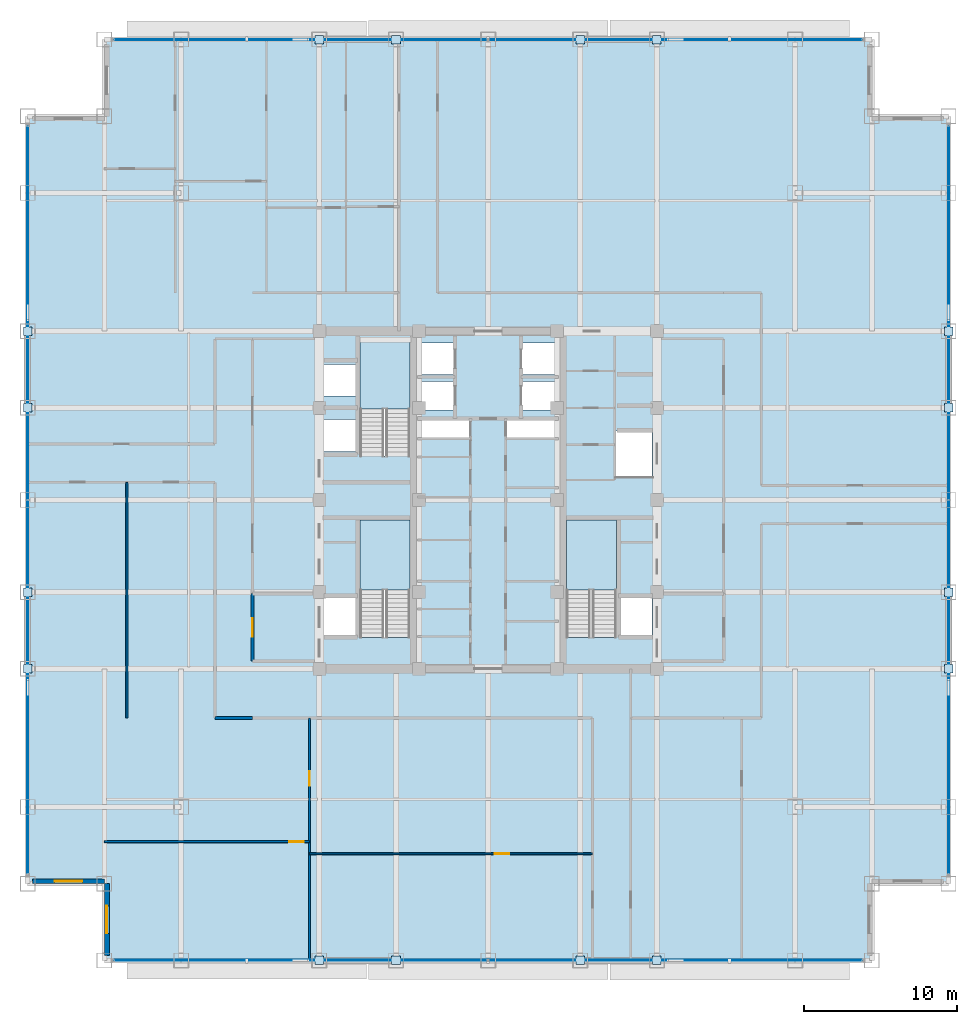
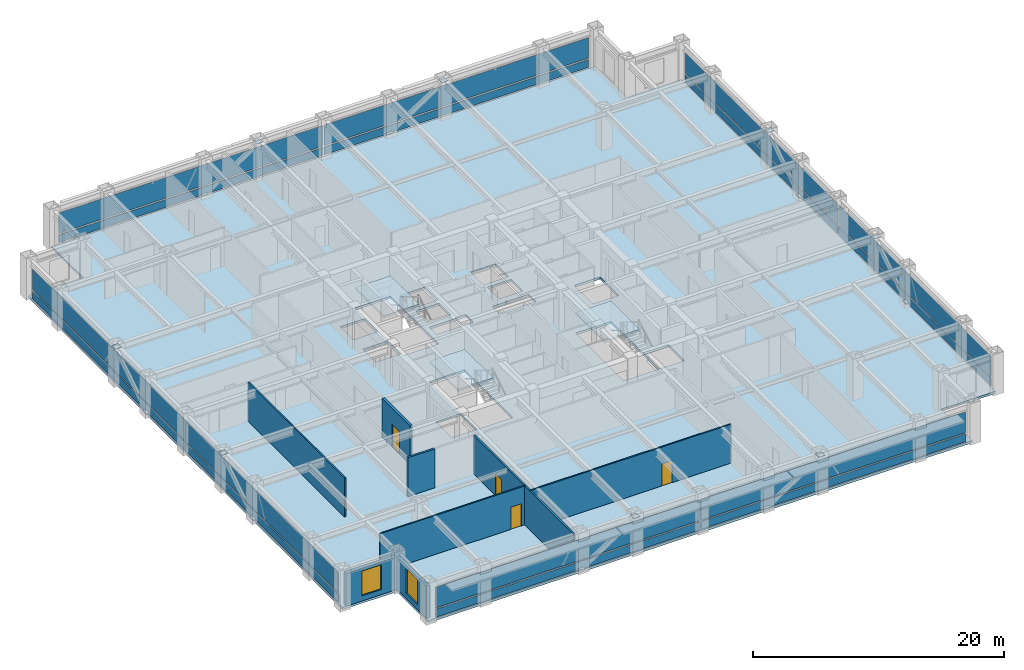
# One storey, part 19 of 29: 32 plates, 8 walls, 4 doors, 4 slabs, 2 windows, 6 openings, 7 elements without a shape of their own.
"""IFC4 building model written with IfcOpenShell, lengths in metres."""

from ifc_helpers import new_model, si_unit, direction, frame, frame_2d, origin, origin_2d, place, context, subcontext, project, spatial, polyline, rectangle, outline, extrude, source, transform, mapped, material, layer, layer_set, type_object, element, fill, aggregate, save


model = new_model("IFC4")

# Units and contexts
model_context = context("Model", 3, precision=1e-05, world=origin(), true_north=direction((0.0, 1.0)))
body_context = subcontext(model_context, "Body", "Model", "MODEL_VIEW")
ifc_project = project(units=[si_unit("LENGTHUNIT", "METRE"), si_unit("AREAUNIT", "SQUARE_METRE"), si_unit("VOLUMEUNIT", "CUBIC_METRE"), si_unit("PLANEANGLEUNIT", "RADIAN"), si_unit("MASSUNIT", "GRAM", prefix="KILO")], contexts=[model_context])

# Site, building, storey
site_placement = place(None, origin())
site = spatial("IfcSite", under=ifc_project, at=site_placement, CompositionType="ELEMENT")
building_placement = place(site_placement, origin())
building = spatial("IfcBuilding", under=site, at=building_placement, Name="Khorayat Bourse Tower", CompositionType="ELEMENT")
storey_placement = place(building_placement, frame((0.0, 0.0, 235.10009765625)))
storey = spatial("IfcBuildingStorey", under=building, at=storey_placement, Name="L55", CompositionType="ELEMENT", Elevation=235.10009765625)

# Stair, slab
ifc_material_1 = material(Name="Concrete C40/50", Category="concrete")
stair_type = type_object("IfcStairType", Name="STR-CORE-1550", PredefinedType="HALF_TURN_STAIR", material=ifc_material_1)
stair_1_placement = place(storey_placement, origin())
stair_1 = element("IfcStair", 1, at=stair_1_placement, inside=storey, type_object=stair_type, Name="L55 Exit Stair ST-1", PredefinedType="HALF_TURN_STAIR")
ifc_layer_1 = layer(ifc_material_1, 0.199951171875)
ifc_layer_set_1 = layer_set([ifc_layer_1], Name="Concrete C40/50")
slab_type_1 = type_object("IfcSlabType", Name="SLB-LANDING-200", PredefinedType="LANDING", material=ifc_layer_set_1)
slab_1_placement = place(storey_placement, frame((0.0, 0.0, 1.7998046875)))
slab_1 = element("IfcSlab", 2, at=slab_1_placement, type_object=slab_type_1, Name="ST-1 landing 1", PredefinedType="LANDING", context=body_context, shape_type="SweptSolid", body=[
    extrude(outline(polyline([(-5.10009765625, -5.8701171875), (-5.10009765625, -1.300048828125), (-8.35009765625, -1.300048828125), (-8.35009765625, -5.8701171875), (-5.10009765625, -5.8701171875)])), origin(), (0.0, 0.0, 1.0), 0.2001953125),
])
aggregate(stair_1, [slab_1])

stair_2_placement = place(storey_placement, origin())
stair_2 = element("IfcStair", 3, at=stair_2_placement, inside=storey, type_object=stair_type, Name="L55 Exit Stair ST-2", PredefinedType="HALF_TURN_STAIR")
slab_2_placement = place(storey_placement, frame((0.0, 0.0, 1.7998046875)))
slab_2 = element("IfcSlab", 4, at=slab_2_placement, type_object=slab_type_1, Name="ST-2 landing 1", PredefinedType="LANDING", context=body_context, shape_type="SweptSolid", body=[
    extrude(outline(polyline([(-5.10009765625, 5.929931640625), (-5.10009765625, 10.5), (-8.35009765625, 10.5), (-8.35009765625, 5.929931640625), (-5.10009765625, 5.929931640625)])), origin(), (0.0, 0.0, 1.0), 0.2001953125),
])
aggregate(stair_2, [slab_2])

stair_3_placement = place(storey_placement, origin())
stair_3 = element("IfcStair", 5, at=stair_3_placement, inside=storey, type_object=stair_type, Name="L55 Exit Stair ST-3", PredefinedType="HALF_TURN_STAIR")
slab_3_placement = place(storey_placement, frame((0.0, 0.0, 1.7998046875)))
slab_3 = element("IfcSlab", 6, at=slab_3_placement, type_object=slab_type_1, Name="ST-3 landing 1", PredefinedType="LANDING", context=body_context, shape_type="SweptSolid", body=[
    extrude(outline(polyline([(8.35009765625, -5.8701171875), (8.35009765625, -1.300048828125), (5.10009765625, -1.300048828125), (5.10009765625, -5.8701171875), (8.35009765625, -5.8701171875)])), origin(), (0.0, 0.0, 1.0), 0.2001953125),
])
aggregate(stair_3, [slab_3])

# Slab
ifc_layer_2 = layer(ifc_material_1, 0.219970703125)
ifc_layer_set_2 = layer_set([ifc_layer_2], Name="Concrete C40/50")
slab_type_2 = type_object("IfcSlabType", Name="SLB-OFFICE-220", PredefinedType="FLOOR", material=ifc_layer_set_2)
slab_4_placement = place(storey_placement, frame((0.0, 0.0, -0.22021484375)))
element("IfcSlab", 7, at=slab_4_placement, inside=storey, type_object=slab_type_2, Name="L55 Main Floor Slab", PredefinedType="FLOOR", context=body_context, shape_type="SweptSolid", body=[
    extrude(outline(polyline([(-25.0, -30.0), (25.0, -30.0), (25.0, -25.0), (30.0, -25.0), (30.0, 25.0), (25.0, 25.0), (25.0, 30.0), (-25.0, 30.0), (-25.0, 25.0), (-30.0, 25.0), (-30.0, -25.0), (-25.0, -25.0), (-25.0, -30.0)]), holes=[polyline([(-8.35009765625, -8.945068359375), (-5.10009765625, -8.945068359375), (-5.10009765625, -1.300048828125), (-8.35009765625, -1.300048828125), (-8.35009765625, -8.945068359375)]), polyline([(-8.35009765625, 2.85498046875), (-5.10009765625, 2.85498046875), (-5.10009765625, 10.5), (-8.35009765625, 10.5), (-8.35009765625, 2.85498046875)]), polyline([(5.10009765625, -8.945068359375), (8.35009765625, -8.945068359375), (8.35009765625, -1.300048828125), (5.10009765625, -1.300048828125), (5.10009765625, -8.945068359375)]), polyline([(-4.3798828125, 8.169921875), (-2.1201171875, 8.169921875), (-2.1201171875, 10.22998046875), (-4.3798828125, 10.22998046875), (-4.3798828125, 8.169921875)]), polyline([(2.1201171875, 8.169921875), (4.3798828125, 8.169921875), (4.3798828125, 10.22998046875), (2.1201171875, 10.22998046875), (2.1201171875, 8.169921875)]), polyline([(-4.3798828125, 5.8701171875), (-2.219970703125, 5.8701171875), (-2.219970703125, 7.72998046875), (-4.3798828125, 7.72998046875), (-4.3798828125, 5.8701171875)]), polyline([(2.219970703125, 5.8701171875), (4.3798828125, 5.8701171875), (4.3798828125, 7.72998046875), (2.219970703125, 7.72998046875), (2.219970703125, 5.8701171875)]), polyline([(-10.679931640625, 3.169921875), (-8.419921875, 3.169921875), (-8.419921875, 5.22998046875), (-10.679931640625, 5.22998046875), (-10.679931640625, 3.169921875)]), polyline([(-10.679931640625, 6.77001953125), (-8.419921875, 6.77001953125), (-8.419921875, 8.830078125), (-10.679931640625, 8.830078125), (-10.679931640625, 6.77001953125)]), polyline([(-10.679931640625, -8.929931640625), (-8.419921875, -8.929931640625), (-8.419921875, -6.3701171875), (-10.679931640625, -6.3701171875), (-10.679931640625, -8.929931640625)]), polyline([(8.419921875, -8.929931640625), (10.679931640625, -8.929931640625), (10.679931640625, -6.3701171875), (8.419921875, -6.3701171875), (8.419921875, -8.929931640625)]), polyline([(8.320068359375, 1.52001953125), (10.679931640625, 1.52001953125), (10.679931640625, 4.47998046875), (8.320068359375, 4.47998046875), (8.320068359375, 1.52001953125)]), polyline([(-4.56005859375, 4.080078125), (-1.18994140625, 4.080078125), (-1.18994140625, 5.219970703125), (-4.56005859375, 5.219970703125), (-4.56005859375, 4.080078125)]), polyline([(1.18994140625, 4.080078125), (4.56005859375, 4.080078125), (4.56005859375, 5.219970703125), (1.18994140625, 5.219970703125), (1.18994140625, 4.080078125)])]), origin(), (0.0, 0.0, 1.0), 0.22021484375),
])

# Plates
ifc_material_2 = material(Name="Steel EN 10025-2 S355J2", Category="steel")
ifc_layer_3 = layer(ifc_material_2, 0.02490234375)
ifc_layer_set_3 = layer_set([ifc_layer_3], Name="Steel EN 10025-2 S355J2")
plate_type_1 = type_object("IfcPlateType", Name="PLT-ENDCAP-25", PredefinedType="SHEET", material=ifc_layer_set_3)
shared_shape_1 = source(origin(), body_context, "Body", "SweptSolid", [
    extrude(rectangle(XDim=0.56005859375, YDim=0.56005859375, at=origin_2d()), origin(), (0.0, 0.0, 1.0), 0.02490234375),
])
for number, where, z_axis, x_axis, name in (
    (8, (-11.0, -30.0, 0.237548828125), (0.0, 0.0, 1.0), (1.0, 0.0, 0.0), "L55 Perimeter Brace End Plate 001"),
    (9, (-6.0, -30.0, 3.517333984375), (0.0, 0.0, 1.0), (1.0, 0.0, 0.0), "L55 Perimeter Brace End Plate 002"),
    (10, (6.0, -30.0, 0.237548828125), (0.0, 0.0, 1.0), (1.0, 0.0, 0.0), "L55 Perimeter Brace End Plate 003"),
    (11, (11.0, -30.0, 3.517333984375), (0.0, 0.0, 1.0), (1.0, 0.0, 0.0), "L55 Perimeter Brace End Plate 004"),
    (12, (-11.0, 30.0, 0.237548828125), (0.0, 0.0, 1.0), (1.0, 0.0, 0.0), "L55 Perimeter Brace End Plate 005"),
    (13, (-6.0, 30.0, 3.517333984375), (0.0, 0.0, 1.0), (1.0, 0.0, 0.0), "L55 Perimeter Brace End Plate 006"),
    (14, (6.0, 30.0, 0.237548828125), (0.0, 0.0, 1.0), (1.0, 0.0, 0.0), "L55 Perimeter Brace End Plate 007"),
    (15, (11.0, 30.0, 3.517333984375), (0.0, 0.0, 1.0), (1.0, 0.0, 0.0), "L55 Perimeter Brace End Plate 008"),
    (16, (-30.0, -11.0, 0.237548828125), (0.0, 0.0, 1.0), (1.0, 0.0, 0.0), "L55 Perimeter Brace End Plate 009"),
    (17, (-30.0, -6.0, 3.517333984375), (0.0, 0.0, 1.0), (1.0, 0.0, 0.0), "L55 Perimeter Brace End Plate 010"),
    (18, (-30.0, 6.0, 0.237548828125), (0.0, 0.0, 1.0), (1.0, 0.0, 0.0), "L55 Perimeter Brace End Plate 011"),
    (19, (-30.0, 11.0, 3.517333984375), (0.0, 0.0, 1.0), (1.0, 0.0, 0.0), "L55 Perimeter Brace End Plate 012"),
    (20, (30.0, -11.0, 0.237548828125), (0.0, 0.0, 1.0), (1.0, 0.0, 0.0), "L55 Perimeter Brace End Plate 013"),
    (21, (30.0, -6.0, 3.517333984375), (0.0, 0.0, 1.0), (1.0, 0.0, 0.0), "L55 Perimeter Brace End Plate 014"),
    (22, (30.0, 6.0, 0.237548828125), (0.0, 0.0, 1.0), (1.0, 0.0, 0.0), "L55 Perimeter Brace End Plate 015"),
    (23, (30.0, 11.0, 3.517333984375), (0.0, 0.0, 1.0), (1.0, 0.0, 0.0), "L55 Perimeter Brace End Plate 016"),
):
    element("IfcPlate", number, at=place(storey_placement, frame(where, z_axis=z_axis, x_axis=x_axis)), inside=storey, type_object=plate_type_1, Name=name, PredefinedType="SHEET", context=body_context, shape_type="MappedRepresentation", body=[
        mapped(shared_shape_1, transform((0.0, 0.0, 0.0), scale=1.0)),
    ])

# Curtain wall, plates
ifc_material_3 = material(Name="Aluminium EN AW-6063 T6", Category="aluminium")
curtain_wall_type = type_object("IfcCurtainWallType", Name="CW-SYS-03", PredefinedType="NOTDEFINED", material=ifc_material_3)
curtain_wall_1_placement = place(storey_placement, origin())
curtain_wall_1 = element("IfcCurtainWall", 24, at=curtain_wall_1_placement, inside=storey, type_object=curtain_wall_type, Name="L55 Curtain Wall CW-L55-S1", PredefinedType="NOTDEFINED")
ifc_material_4 = material(Name="Honed desert limestone insulated spandrel", Category="masonry")
ifc_layer_4 = layer(ifc_material_4, 0.06494140625)
ifc_layer_set_4 = layer_set([ifc_layer_4], Name="Honed desert limestone insulated spandrel")
plate_type_2 = type_object("IfcPlateType", Name="CWP-SPAND-03", PredefinedType="CURTAIN_PANEL", material=ifc_layer_set_4)
shared_shape_2 = source(origin(), body_context, "Body", "SweptSolid", [
    extrude(rectangle(XDim=24.27001953125, YDim=0.06494140625, at=origin_2d()), origin(), (0.0, 0.0, 1.0), 0.77001953125),
])
plate_1_placement = place(storey_placement, frame((-12.195068359375, -30.0, 0.119873046875), z_axis=(0.0, 0.0, 1.0), x_axis=(1.0, 0.0, 0.0)))
plate_1 = element("IfcPlate", 25, at=plate_1_placement, type_object=plate_type_2, Name="CW-L55-S1 Spandrel Panel 1-1", PredefinedType="CURTAIN_PANEL", context=body_context, shape_type="MappedRepresentation", body=[
    mapped(shared_shape_2, transform((0.0, 0.0, 0.0), scale=1.0)),
])
plate_2_placement = place(storey_placement, frame((12.195068359375, -30.0, 0.119873046875), z_axis=(0.0, 0.0, 1.0), x_axis=(1.0, 0.0, 0.0)))
plate_2 = element("IfcPlate", 26, at=plate_2_placement, type_object=plate_type_2, Name="CW-L55-S1 Spandrel Panel 2-1", PredefinedType="CURTAIN_PANEL", context=body_context, shape_type="MappedRepresentation", body=[
    mapped(shared_shape_2, transform((0.0, 0.0, 0.0), scale=1.0)),
])

curtain_wall_2_placement = place(storey_placement, origin())
curtain_wall_2 = element("IfcCurtainWall", 27, at=curtain_wall_2_placement, inside=storey, type_object=curtain_wall_type, Name="L55 Curtain Wall CW-L55-N1", PredefinedType="NOTDEFINED")
plate_3_placement = place(storey_placement, frame((-12.195068359375, 30.0, 0.119873046875), z_axis=(0.0, 0.0, 1.0), x_axis=(1.0, 0.0, 0.0)))
plate_3 = element("IfcPlate", 28, at=plate_3_placement, type_object=plate_type_2, Name="CW-L55-N1 Spandrel Panel 1-1", PredefinedType="CURTAIN_PANEL", context=body_context, shape_type="MappedRepresentation", body=[
    mapped(shared_shape_2, transform((0.0, 0.0, 0.0), scale=1.0)),
])
plate_4_placement = place(storey_placement, frame((12.195068359375, 30.0, 0.119873046875), z_axis=(0.0, 0.0, 1.0), x_axis=(1.0, 0.0, 0.0)))
plate_4 = element("IfcPlate", 29, at=plate_4_placement, type_object=plate_type_2, Name="CW-L55-N1 Spandrel Panel 2-1", PredefinedType="CURTAIN_PANEL", context=body_context, shape_type="MappedRepresentation", body=[
    mapped(shared_shape_2, transform((0.0, 0.0, 0.0), scale=1.0)),
])

curtain_wall_3_placement = place(storey_placement, origin())
curtain_wall_3 = element("IfcCurtainWall", 30, at=curtain_wall_3_placement, inside=storey, type_object=curtain_wall_type, Name="L55 Curtain Wall CW-L55-W1", PredefinedType="NOTDEFINED")
plate_5_placement = place(storey_placement, frame((-30.0, -12.195068359375, 0.119873046875), z_axis=(0.0, 0.0, 1.0), x_axis=(0.0, 1.0, 0.0)))
plate_5 = element("IfcPlate", 31, at=plate_5_placement, type_object=plate_type_2, Name="CW-L55-W1 Spandrel Panel 1-1", PredefinedType="CURTAIN_PANEL", context=body_context, shape_type="MappedRepresentation", body=[
    mapped(shared_shape_2, transform((0.0, 0.0, 0.0), scale=1.0)),
])
plate_6_placement = place(storey_placement, frame((-30.0, 12.195068359375, 0.119873046875), z_axis=(0.0, 0.0, 1.0), x_axis=(0.0, 1.0, 0.0)))
plate_6 = element("IfcPlate", 32, at=plate_6_placement, type_object=plate_type_2, Name="CW-L55-W1 Spandrel Panel 2-1", PredefinedType="CURTAIN_PANEL", context=body_context, shape_type="MappedRepresentation", body=[
    mapped(shared_shape_2, transform((0.0, 0.0, 0.0), scale=1.0)),
])

curtain_wall_4_placement = place(storey_placement, origin())
curtain_wall_4 = element("IfcCurtainWall", 33, at=curtain_wall_4_placement, inside=storey, type_object=curtain_wall_type, Name="L55 Curtain Wall CW-L55-E1", PredefinedType="NOTDEFINED")
plate_7_placement = place(storey_placement, frame((30.0, -12.195068359375, 0.119873046875), z_axis=(0.0, 0.0, 1.0), x_axis=(0.0, 1.0, 0.0)))
plate_7 = element("IfcPlate", 34, at=plate_7_placement, type_object=plate_type_2, Name="CW-L55-E1 Spandrel Panel 1-1", PredefinedType="CURTAIN_PANEL", context=body_context, shape_type="MappedRepresentation", body=[
    mapped(shared_shape_2, transform((0.0, 0.0, 0.0), scale=1.0)),
])
plate_8_placement = place(storey_placement, frame((30.0, 12.195068359375, 0.119873046875), z_axis=(0.0, 0.0, 1.0), x_axis=(0.0, 1.0, 0.0)))
plate_8 = element("IfcPlate", 35, at=plate_8_placement, type_object=plate_type_2, Name="CW-L55-E1 Spandrel Panel 2-1", PredefinedType="CURTAIN_PANEL", context=body_context, shape_type="MappedRepresentation", body=[
    mapped(shared_shape_2, transform((0.0, 0.0, 0.0), scale=1.0)),
])

# Plate
ifc_material_5 = material(Name="Low-E solar-control laminated double glazing", Category="glass")
ifc_layer_5 = layer(ifc_material_5, 0.035888671875)
ifc_layer_set_5 = layer_set([ifc_layer_5], Name="Low-E solar-control laminated double glazing")
plate_type_3 = type_object("IfcPlateType", Name="CWP-VIS-01", PredefinedType="CURTAIN_PANEL", material=ifc_layer_set_5)
shared_shape_3 = source(origin(), body_context, "Body", "SweptSolid", [
    extrude(rectangle(XDim=24.27001953125, YDim=0.035888671875, at=origin_2d()), origin(), (0.0, 0.0, 1.0), 2.0),
])
plate_9_placement = place(storey_placement, frame((-12.195068359375, -30.0, 1.010009765625), z_axis=(0.0, 0.0, 1.0), x_axis=(1.0, 0.0, 0.0)))
plate_9 = element("IfcPlate", 36, at=plate_9_placement, type_object=plate_type_3, Name="CW-L55-S1 Vision Panel 1-2", PredefinedType="CURTAIN_PANEL", context=body_context, shape_type="MappedRepresentation", body=[
    mapped(shared_shape_3, transform((0.0, 0.0, 0.0), scale=1.0)),
])

plate_10_placement = place(storey_placement, frame((12.195068359375, -30.0, 1.010009765625), z_axis=(0.0, 0.0, 1.0), x_axis=(1.0, 0.0, 0.0)))
plate_10 = element("IfcPlate", 37, at=plate_10_placement, type_object=plate_type_3, Name="CW-L55-S1 Vision Panel 2-2", PredefinedType="CURTAIN_PANEL", context=body_context, shape_type="MappedRepresentation", body=[
    mapped(shared_shape_3, transform((0.0, 0.0, 0.0), scale=1.0)),
])

aggregate(curtain_wall_1, [plate_1, plate_9, plate_2, plate_10])

plate_11_placement = place(storey_placement, frame((-12.195068359375, 30.0, 1.010009765625), z_axis=(0.0, 0.0, 1.0), x_axis=(1.0, 0.0, 0.0)))
plate_11 = element("IfcPlate", 38, at=plate_11_placement, type_object=plate_type_3, Name="CW-L55-N1 Vision Panel 1-2", PredefinedType="CURTAIN_PANEL", context=body_context, shape_type="MappedRepresentation", body=[
    mapped(shared_shape_3, transform((0.0, 0.0, 0.0), scale=1.0)),
])

plate_12_placement = place(storey_placement, frame((12.195068359375, 30.0, 1.010009765625), z_axis=(0.0, 0.0, 1.0), x_axis=(1.0, 0.0, 0.0)))
plate_12 = element("IfcPlate", 39, at=plate_12_placement, type_object=plate_type_3, Name="CW-L55-N1 Vision Panel 2-2", PredefinedType="CURTAIN_PANEL", context=body_context, shape_type="MappedRepresentation", body=[
    mapped(shared_shape_3, transform((0.0, 0.0, 0.0), scale=1.0)),
])

aggregate(curtain_wall_2, [plate_3, plate_11, plate_4, plate_12])

plate_13_placement = place(storey_placement, frame((-30.0, -12.195068359375, 1.010009765625), z_axis=(0.0, 0.0, 1.0), x_axis=(0.0, 1.0, 0.0)))
plate_13 = element("IfcPlate", 40, at=plate_13_placement, type_object=plate_type_3, Name="CW-L55-W1 Vision Panel 1-2", PredefinedType="CURTAIN_PANEL", context=body_context, shape_type="MappedRepresentation", body=[
    mapped(shared_shape_3, transform((0.0, 0.0, 0.0), scale=1.0)),
])

plate_14_placement = place(storey_placement, frame((-30.0, 12.195068359375, 1.010009765625), z_axis=(0.0, 0.0, 1.0), x_axis=(0.0, 1.0, 0.0)))
plate_14 = element("IfcPlate", 41, at=plate_14_placement, type_object=plate_type_3, Name="CW-L55-W1 Vision Panel 2-2", PredefinedType="CURTAIN_PANEL", context=body_context, shape_type="MappedRepresentation", body=[
    mapped(shared_shape_3, transform((0.0, 0.0, 0.0), scale=1.0)),
])

aggregate(curtain_wall_3, [plate_5, plate_13, plate_6, plate_14])

plate_15_placement = place(storey_placement, frame((30.0, -12.195068359375, 1.010009765625), z_axis=(0.0, 0.0, 1.0), x_axis=(0.0, 1.0, 0.0)))
plate_15 = element("IfcPlate", 42, at=plate_15_placement, type_object=plate_type_3, Name="CW-L55-E1 Vision Panel 1-2", PredefinedType="CURTAIN_PANEL", context=body_context, shape_type="MappedRepresentation", body=[
    mapped(shared_shape_3, transform((0.0, 0.0, 0.0), scale=1.0)),
])

plate_16_placement = place(storey_placement, frame((30.0, 12.195068359375, 1.010009765625), z_axis=(0.0, 0.0, 1.0), x_axis=(0.0, 1.0, 0.0)))
plate_16 = element("IfcPlate", 43, at=plate_16_placement, type_object=plate_type_3, Name="CW-L55-E1 Vision Panel 2-2", PredefinedType="CURTAIN_PANEL", context=body_context, shape_type="MappedRepresentation", body=[
    mapped(shared_shape_3, transform((0.0, 0.0, 0.0), scale=1.0)),
])

aggregate(curtain_wall_4, [plate_7, plate_15, plate_8, plate_16])

# Wall, opening, window
ifc_material_6 = material(Name="Precast concrete C45/55", Category="concrete")
ifc_layer_6 = layer(ifc_material_6, 0.320068359375)
ifc_layer_set_6 = layer_set([ifc_layer_6], Name="Precast concrete C45/55")
wall_type_1 = type_object("IfcWallType", Name="WAL-EXT-STONE-320", PredefinedType="STANDARD", material=ifc_layer_set_6)
shared_shape_4 = source(origin(), body_context, "Body", "SweptSolid", [
    extrude(rectangle(XDim=4.679931640625, YDim=0.320068359375, at=frame_2d((2.33984375, 0.0))), origin(), (0.0, 0.0, 1.0), 3.163818359375),
])
wall_1_placement = place(storey_placement, frame((-25.0, -24.840087890625, 0.0), z_axis=(0.0, 0.0, 1.0), x_axis=(-1.0, 0.0, 0.0)))
wall_1 = element("IfcWall", 44, at=wall_1_placement, inside=storey, type_object=wall_type_1, Name="L55 Re-Entrant Notch Limestone Wall SW-H", PredefinedType="STANDARD", context=body_context, shape_type="MappedRepresentation", body=[
    mapped(shared_shape_4, transform((0.0, 0.0, 0.0), scale=1.0)),
])
shared_shape_5 = source(origin(), body_context, "Body", "SweptSolid", [
    extrude(rectangle(XDim=1.800048828125, YDim=2.39990234375, at=frame_2d((0.89990234375, 1.199951171875))), frame((0.0, 0.169921875, 0.0), z_axis=(0.0, -1.0, 0.0), x_axis=(1.0, 0.0, 0.0)), (0.0, 0.0, 1.0), 0.340087890625),
])
opening_1_placement = place(wall_1_placement, frame((1.43994140625, 0.0, 0.5)))
opening_1 = element("IfcOpeningElement", 45, at=opening_1_placement, cuts=wall_1, Name="Opening WN-04", PredefinedType="OPENING", context=body_context, shape_type="MappedRepresentation", body=[
    mapped(shared_shape_5, transform((0.0, 0.0, 0.0), scale=1.0)),
])
ifc_material_7 = material(Name="Low-E acoustic laminated double glazing", Category="glass")
window_type = type_object("IfcWindowType", Name="WIN-NOTCH-1800x2400", PartitioningType="SINGLE_PANEL", PredefinedType="WINDOW", material=ifc_material_7)
shared_shape_6 = source(origin(), body_context, "Body", "SweptSolid", [
    extrude(rectangle(XDim=1.800048828125, YDim=2.39990234375, at=frame_2d((0.89990234375, 1.199951171875))), frame((0.0, 0.030029296875, 0.0), z_axis=(0.0, -1.0, 0.0), x_axis=(1.0, 0.0, 0.0)), (0.0, 0.0, 1.0), 0.06005859375),
])
window_1_placement = place(opening_1_placement, origin())
window_1 = element("IfcWindow", 46, at=window_1_placement, inside=storey, type_object=window_type, Name="L55 Facade Window 1", OverallHeight=2.39990234375, OverallWidth=1.800048828125, PartitioningType="SINGLE_PANEL", PredefinedType="WINDOW", context=body_context, shape_type="MappedRepresentation", body=[
    mapped(shared_shape_6, transform((0.0, 0.0, 0.0), scale=1.0)),
])
fill(opening_1, window_1)

wall_2_placement = place(storey_placement, frame((-24.840087890625, -29.679931640625, 0.0), z_axis=(0.0, 0.0, 1.0), x_axis=(0.0, 1.0, 0.0)))
wall_2 = element("IfcWall", 47, at=wall_2_placement, inside=storey, type_object=wall_type_1, Name="L55 Re-Entrant Notch Limestone Wall SW-V", PredefinedType="STANDARD", context=body_context, shape_type="MappedRepresentation", body=[
    mapped(shared_shape_4, transform((0.0, 0.0, 0.0), scale=1.0)),
])
opening_2_placement = place(wall_2_placement, frame((1.43994140625, 0.0, 0.5)))
opening_2 = element("IfcOpeningElement", 48, at=opening_2_placement, cuts=wall_2, Name="Opening WN-04", PredefinedType="OPENING", context=body_context, shape_type="MappedRepresentation", body=[
    mapped(shared_shape_5, transform((0.0, 0.0, 0.0), scale=1.0)),
])
window_2_placement = place(opening_2_placement, origin())
window_2 = element("IfcWindow", 49, at=window_2_placement, inside=storey, type_object=window_type, Name="L55 Facade Window 1", OverallHeight=2.39990234375, OverallWidth=1.800048828125, PartitioningType="SINGLE_PANEL", PredefinedType="WINDOW", context=body_context, shape_type="MappedRepresentation", body=[
    mapped(shared_shape_6, transform((0.0, 0.0, 0.0), scale=1.0)),
])
fill(opening_2, window_2)

# Wall, opening, door
ifc_material_8 = material(Name="Aerated concrete blockwork", Category="masonry")
ifc_layer_7 = layer(ifc_material_8, 0.219970703125)
ifc_layer_set_7 = layer_set([ifc_layer_7], Name="Aerated concrete blockwork")
wall_type_2 = type_object("IfcWallType", Name="WAL-PART-FF-220", PredefinedType="PARTITIONING", material=ifc_layer_set_7)
shared_shape_7 = source(origin(), body_context, "Body", "SweptSolid", [
    extrude(rectangle(XDim=4.39990234375, YDim=0.219970703125, at=frame_2d((2.199951171875, 0.0))), origin(), (0.0, 0.0, 1.0), 3.77978515625),
])
wall_3_placement = place(storey_placement, frame((-15.35009765625, -10.5, 0.0), z_axis=(0.0, 0.0, 1.0), x_axis=(0.0, 1.0, 0.0)))
wall_3 = element("IfcWall", 50, at=wall_3_placement, inside=storey, type_object=wall_type_2, Name="L55 Partition WAL-L55-FFLW-W", PredefinedType="PARTITIONING", context=body_context, shape_type="MappedRepresentation", body=[
    mapped(shared_shape_7, transform((0.0, 0.0, 0.0), scale=1.0)),
])
shared_shape_8 = source(origin(), body_context, "Body", "SweptSolid", [
    extrude(rectangle(XDim=1.199951171875, YDim=2.199951171875, at=frame_2d((0.60009765625, 1.10009765625))), frame((0.0, 0.119873046875, 0.0), z_axis=(0.0, -1.0, 0.0), x_axis=(1.0, 0.0, 0.0)), (0.0, 0.0, 1.0), 0.239990234375),
])
opening_3_placement = place(wall_3_placement, frame((1.60009765625, 0.0, 0.0)))
opening_3 = element("IfcOpeningElement", 51, at=opening_3_placement, cuts=wall_3, Name="Opening DI-02", PredefinedType="OPENING", context=body_context, shape_type="MappedRepresentation", body=[
    mapped(shared_shape_8, transform((0.0, 0.0, 0.0), scale=1.0)),
])
ifc_material_9 = material(Name="Fire-rated steel double-seal leaf", Category="steel")
door_type_1 = type_object("IfcDoorType", Name="DR-INT-FFLOBBY-1200", OperationType="NOTDEFINED", PredefinedType="DOOR", material=ifc_material_9)
shared_shape_9 = source(origin(), body_context, "Body", "SweptSolid", [
    extrude(rectangle(XDim=1.199951171875, YDim=2.199951171875, at=frame_2d((0.60009765625, 1.10009765625))), frame((0.0, 0.02490234375, 0.0), z_axis=(0.0, -1.0, 0.0), x_axis=(1.0, 0.0, 0.0)), (0.0, 0.0, 1.0), 0.050048828125),
])
door_1_placement = place(opening_3_placement, origin())
door_1 = element("IfcDoor", 52, at=door_1_placement, inside=storey, type_object=door_type_1, Name="L55 West Firefighting Lobby Door", OperationType="SINGLE_SWING_LEFT", OverallHeight=2.199951171875, OverallWidth=1.199951171875, PredefinedType="DOOR", context=body_context, shape_type="MappedRepresentation", body=[
    mapped(shared_shape_9, transform((0.0, 0.0, 0.0), scale=1.0)),
])
fill(opening_3, door_1)

# Wall
ifc_material_10 = material(Name="Gypsum plasterboard acoustic stud wall")
ifc_layer_8 = layer(ifc_material_10, 0.179931640625)
ifc_layer_set_8 = layer_set([ifc_layer_8], Name="Gypsum plasterboard acoustic stud wall")
wall_type_3 = type_object("IfcWallType", Name="WAL-PART-CORR-180", PredefinedType="PARTITIONING", material=ifc_layer_set_8)
shared_shape_10 = source(origin(), body_context, "Body", "SweptSolid", [
    extrude(rectangle(XDim=2.449951171875, YDim=0.179931640625, at=frame_2d((1.22509765625, 0.0))), origin(), (0.0, 0.0, 1.0), 3.77978515625),
])
wall_4_placement = place(storey_placement, frame((-17.800048828125, -14.199951171875, 0.0), z_axis=(0.0, 0.0, 1.0), x_axis=(1.0, 0.0, 0.0)))
element("IfcWall", 53, at=wall_4_placement, inside=storey, type_object=wall_type_3, Name="L55 Partition WAL-L55-C2-WS", PredefinedType="PARTITIONING", context=body_context, shape_type="MappedRepresentation", body=[
    mapped(shared_shape_10, transform((0.0, 0.0, 0.0), scale=1.0)),
])

# Wall, opening, door
ifc_material_11 = material(Name="Gypsum plasterboard twin-frame partition")
ifc_layer_9 = layer(ifc_material_11, 0.14990234375)
ifc_layer_set_9 = layer_set([ifc_layer_9], Name="Gypsum plasterboard twin-frame partition")
wall_type_4 = type_object("IfcWallType", Name="WAL-PART-SUITE-150", PredefinedType="PARTITIONING", material=ifc_layer_set_9)
shared_shape_11 = source(origin(), body_context, "Body", "SweptSolid", [
    extrude(rectangle(XDim=15.800048828125, YDim=0.14990234375, at=frame_2d((7.89990234375, 0.0))), origin(), (0.0, 0.0, 1.0), 3.77978515625),
])
wall_5_placement = place(storey_placement, frame((-11.64404296875, -30.0, 0.0), z_axis=(0.0, 0.0, 1.0), x_axis=(0.0, 1.0, 0.0)))
wall_5 = element("IfcWall", 54, at=wall_5_placement, inside=storey, type_object=wall_type_4, Name="L55 Partition WAL-L55-QSWDV-1", PredefinedType="PARTITIONING", context=body_context, shape_type="MappedRepresentation", body=[
    mapped(shared_shape_11, transform((0.0, 0.0, 0.0), scale=1.0)),
])
shared_shape_12 = source(origin(), body_context, "Body", "SweptSolid", [
    extrude(rectangle(XDim=0.949951171875, YDim=2.14990234375, at=frame_2d((0.47509765625, 1.074951171875))), frame((0.0, 0.0849609375, 0.0), z_axis=(0.0, -1.0, 0.0), x_axis=(1.0, 0.0, 0.0)), (0.0, 0.0, 1.0), 0.169921875),
])
opening_4_placement = place(wall_5_placement, frame((11.375, 0.0, 0.0)))
opening_4 = element("IfcOpeningElement", 55, at=opening_4_placement, cuts=wall_5, Name="Opening DI-05", PredefinedType="OPENING", context=body_context, shape_type="MappedRepresentation", body=[
    mapped(shared_shape_12, transform((0.0, 0.0, 0.0), scale=1.0)),
])
ifc_material_12 = material(Name="Acoustic oak veneer office door")
door_type_2 = type_object("IfcDoorType", Name="DR-INT-OFFICE-950", OperationType="NOTDEFINED", PredefinedType="DOOR", material=ifc_material_12)
shared_shape_13 = source(origin(), body_context, "Body", "SweptSolid", [
    extrude(rectangle(XDim=0.949951171875, YDim=2.14990234375, at=frame_2d((0.47509765625, 1.074951171875))), frame((0.0, 0.02490234375, 0.0), z_axis=(0.0, -1.0, 0.0), x_axis=(1.0, 0.0, 0.0)), (0.0, 0.0, 1.0), 0.050048828125),
])
door_2_placement = place(opening_4_placement, origin())
door_2 = element("IfcDoor", 56, at=door_2_placement, inside=storey, type_object=door_type_2, Name="L55 South-West Suite Link 1", OperationType="SINGLE_SWING_RIGHT", OverallHeight=2.14990234375, OverallWidth=0.949951171875, PredefinedType="DOOR", context=body_context, shape_type="MappedRepresentation", body=[
    mapped(shared_shape_13, transform((0.0, 0.0, 0.0), scale=1.0)),
])
fill(opening_4, door_2)

ifc_material_13 = material(Name="Gypsum plasterboard partition")
ifc_layer_10 = layer(ifc_material_13, 0.125)
ifc_layer_set_10 = layer_set([ifc_layer_10], Name="Gypsum plasterboard partition")
wall_type_5 = type_object("IfcWallType", Name="WAL-PART-ROOM-125", PredefinedType="PARTITIONING", material=ifc_layer_set_10)
shared_shape_14 = source(origin(), body_context, "Body", "SweptSolid", [
    extrude(rectangle(XDim=13.35595703125, YDim=0.125, at=frame_2d((6.677978515625, 0.0))), origin(), (0.0, 0.0, 1.0), 3.77978515625),
])
wall_6_placement = place(storey_placement, frame((-25.0, -22.258056640625, 0.0), z_axis=(0.0, 0.0, 1.0), x_axis=(1.0, 0.0, 0.0)))
wall_6 = element("IfcWall", 57, at=wall_6_placement, inside=storey, type_object=wall_type_5, Name="L55 Partition WAL-L55-QSWDP-1", PredefinedType="PARTITIONING", context=body_context, shape_type="MappedRepresentation", body=[
    mapped(shared_shape_14, transform((0.0, 0.0, 0.0), scale=1.0)),
])
shared_shape_15 = source(origin(), body_context, "Body", "SweptSolid", [
    extrude(rectangle(XDim=0.949951171875, YDim=2.14990234375, at=frame_2d((0.47509765625, 1.074951171875))), frame((0.0, 0.072509765625, 0.0), z_axis=(0.0, -1.0, 0.0), x_axis=(1.0, 0.0, 0.0)), (0.0, 0.0, 1.0), 0.14501953125),
])
opening_5_placement = place(wall_6_placement, frame((12.031005859375, 0.0, 0.0)))
opening_5 = element("IfcOpeningElement", 58, at=opening_5_placement, cuts=wall_6, Name="Opening DI-05", PredefinedType="OPENING", context=body_context, shape_type="MappedRepresentation", body=[
    mapped(shared_shape_15, transform((0.0, 0.0, 0.0), scale=1.0)),
])
door_3_placement = place(opening_5_placement, origin())
door_3 = element("IfcDoor", 59, at=door_3_placement, inside=storey, type_object=door_type_2, Name="L55 South-West Issuer Listing Showroom 1B Door", OperationType="SINGLE_SWING_RIGHT", OverallHeight=2.14990234375, OverallWidth=0.949951171875, PredefinedType="DOOR", context=body_context, shape_type="MappedRepresentation", body=[
    mapped(shared_shape_13, transform((0.0, 0.0, 0.0), scale=1.0)),
])
fill(opening_5, door_3)

shared_shape_16 = source(origin(), body_context, "Body", "SweptSolid", [
    extrude(rectangle(XDim=18.444091796875, YDim=0.125, at=frame_2d((9.22216796875, 0.0))), origin(), (0.0, 0.0, 1.0), 3.77978515625),
])
wall_7_placement = place(storey_placement, frame((-11.64404296875, -23.048095703125, 0.0), z_axis=(0.0, 0.0, 1.0), x_axis=(1.0, 0.0, 0.0)))
wall_7 = element("IfcWall", 60, at=wall_7_placement, inside=storey, type_object=wall_type_5, Name="L55 Partition WAL-L55-QSWDP-2", PredefinedType="PARTITIONING", context=body_context, shape_type="MappedRepresentation", body=[
    mapped(shared_shape_16, transform((0.0, 0.0, 0.0), scale=1.0)),
])
opening_6_placement = place(wall_7_placement, frame((12.06689453125, 0.0, 0.0)))
opening_6 = element("IfcOpeningElement", 61, at=opening_6_placement, cuts=wall_7, Name="Opening DI-05", PredefinedType="OPENING", context=body_context, shape_type="MappedRepresentation", body=[
    mapped(shared_shape_15, transform((0.0, 0.0, 0.0), scale=1.0)),
])
door_4_placement = place(opening_6_placement, origin())
door_4 = element("IfcDoor", 62, at=door_4_placement, inside=storey, type_object=door_type_2, Name="L55 South-West Members Exchange Lounge 2B Door", OperationType="SINGLE_SWING_LEFT", OverallHeight=2.14990234375, OverallWidth=0.949951171875, PredefinedType="DOOR", context=body_context, shape_type="MappedRepresentation", body=[
    mapped(shared_shape_13, transform((0.0, 0.0, 0.0), scale=1.0)),
])
fill(opening_6, door_4)

# Wall
shared_shape_17 = source(origin(), body_context, "Body", "SweptSolid", [
    extrude(rectangle(XDim=15.349853515625, YDim=0.125, at=frame_2d((7.6748046875, 0.0))), origin(), (0.0, 0.0, 1.0), 3.77978515625),
])
wall_8_placement = place(storey_placement, frame((-23.533935546875, -14.199951171875, 0.0), z_axis=(0.0, 0.0, 1.0), x_axis=(0.0, 1.0, 0.0)))
element("IfcWall", 63, at=wall_8_placement, inside=storey, type_object=wall_type_5, Name="L55 Partition WAL-L55-WS-DV", PredefinedType="PARTITIONING", context=body_context, shape_type="MappedRepresentation", body=[
    mapped(shared_shape_17, transform((0.0, 0.0, 0.0), scale=1.0)),
])

save(model, "model.ifc")
